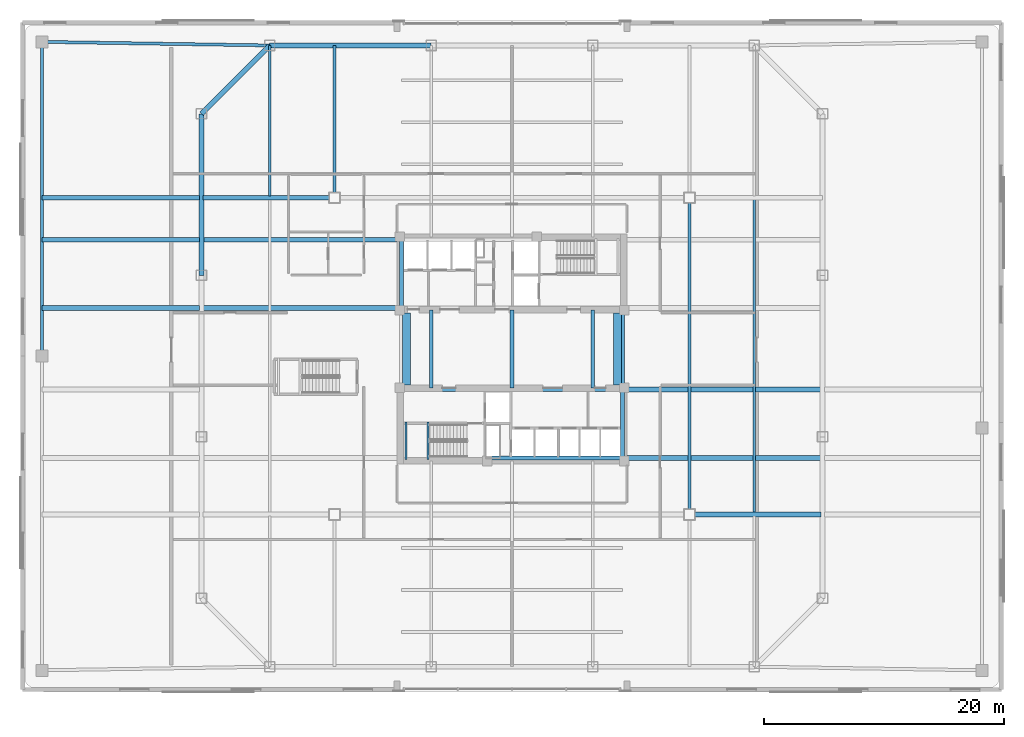
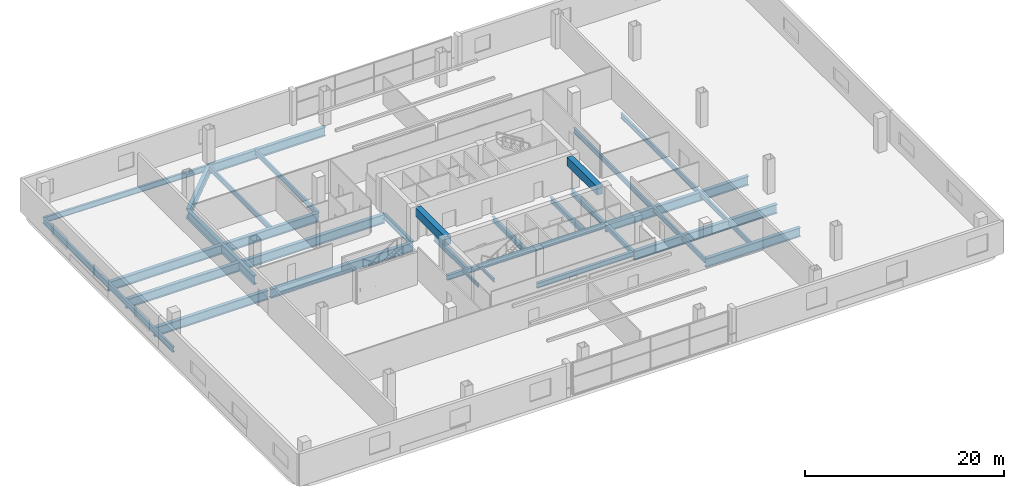
# One storey, part 7 of 21: 30 beams.
"""IFC4 building model written with IfcOpenShell, lengths in metres."""

from ifc_helpers import new_model, si_unit, direction, frame, origin, origin_2d, place, context, subcontext, project, spatial, rectangle, i_section, extrude, material, material_profile, profile_set, type_object, element, save


model = new_model("IFC4")

# Units and contexts
model_context = context("Model", 3, precision=1e-05, world=origin(), true_north=direction((0.0, 1.0)))
body_context = subcontext(model_context, "Body", "Model", "MODEL_VIEW")
ifc_project = project(units=[si_unit("LENGTHUNIT", "METRE"), si_unit("AREAUNIT", "SQUARE_METRE"), si_unit("VOLUMEUNIT", "CUBIC_METRE"), si_unit("PLANEANGLEUNIT", "RADIAN"), si_unit("MASSUNIT", "GRAM", prefix="KILO")], contexts=[model_context])

# Site, building, storey
site_placement = place(None, origin())
site = spatial("IfcSite", under=ifc_project, at=site_placement, CompositionType="ELEMENT")
building_placement = place(site_placement, origin())
building = spatial("IfcBuilding", under=site, at=building_placement, Name="Qhalaya Broadcast Tower", CompositionType="ELEMENT")
storey_placement = place(building_placement, frame((0.0, 0.0, 21.89990234375)))
storey = spatial("IfcBuildingStorey", under=building, at=storey_placement, Name="L05", CompositionType="ELEMENT", Elevation=21.89990234375)

# Beams
ifc_material_1 = material(Name="Structural Steel ASTM A992 Grade 50", Category="steel")
ifc_material_profile_1 = material_profile(ifc_material_1, i_section(OverallWidth=0.22802734375, OverallDepth=0.60693359375, WebThickness=0.01123046875, FlangeThickness=0.017333984375, at=origin_2d()), Name="W24X76")
ifc_profile_set_1 = profile_set([ifc_material_profile_1], Name="Structural Steel ASTM A992 Grade 50")
beam_type_1 = type_object("IfcBeamType", Name="Composite Floor Joist J01", PredefinedType="JOIST", material=ifc_profile_set_1)
beam_1_placement = place(storey_placement, frame((-20.199951171875, 13.340087890625, -0.683349609375), z_axis=(0.0, 1.0, 0.0), x_axis=(-1.0, 0.0, 0.0)))
element("IfcBeam", 1, at=beam_1_placement, inside=storey, type_object=beam_type_1, Name="L05 J01 L05-JS-N-20.2", PredefinedType="JOIST", context=body_context, shape_type="SweptSolid", body=[
    extrude(i_section(OverallWidth=0.22802734375, OverallDepth=0.60693359375, WebThickness=0.01123046875, FlangeThickness=0.017333984375, at=origin_2d()), origin(), (0.0, 0.0, 1.0), 12.559814453125),
])
beam_2_placement = place(storey_placement, frame((-14.800048828125, 13.199951171875, -0.683349609375), z_axis=(0.0, 1.0, 0.0), x_axis=(-1.0, 0.0, 0.0)))
element("IfcBeam", 2, at=beam_2_placement, inside=storey, type_object=beam_type_1, Name="L05 J01 L05-JS-N-14.8", PredefinedType="JOIST", context=body_context, shape_type="SweptSolid", body=[
    extrude(i_section(OverallWidth=0.22802734375, OverallDepth=0.60693359375, WebThickness=0.01123046875, FlangeThickness=0.017333984375, at=origin_2d()), origin(), (0.0, 0.0, 1.0), 12.699951171875),
])
beam_3_placement = place(storey_placement, frame((14.800048828125, -13.199951171875, -0.683349609375), z_axis=(0.0, 1.0, 0.0), x_axis=(-1.0, 0.0, 0.0)))
element("IfcBeam", 3, at=beam_3_placement, inside=storey, type_object=beam_type_1, Name="L05 J01 L05-JS-M+14.8", PredefinedType="JOIST", context=body_context, shape_type="SweptSolid", body=[
    extrude(i_section(OverallWidth=0.22802734375, OverallDepth=0.60693359375, WebThickness=0.01123046875, FlangeThickness=0.017333984375, at=origin_2d()), origin(), (0.0, 0.0, 1.0), 26.39990234375),
])
beam_4_placement = place(storey_placement, frame((20.199951171875, -13.06005859375, -0.683349609375), z_axis=(0.0, 1.0, 0.0), x_axis=(-1.0, 0.0, 0.0)))
element("IfcBeam", 4, at=beam_4_placement, inside=storey, type_object=beam_type_1, Name="L05 J01 L05-JS-M+20.2", PredefinedType="JOIST", context=body_context, shape_type="SweptSolid", body=[
    extrude(i_section(OverallWidth=0.22802734375, OverallDepth=0.60693359375, WebThickness=0.01123046875, FlangeThickness=0.017333984375, at=origin_2d()), origin(), (0.0, 0.0, 1.0), 26.1201171875),
])
ifc_material_profile_2 = material_profile(ifc_material_1, i_section(OverallWidth=0.323974609375, OverallDepth=0.612060546875, WebThickness=0.0126953125, FlangeThickness=0.01904296875, at=origin_2d()), Name="W24X104")
ifc_profile_set_2 = profile_set([ifc_material_profile_2], Name="Structural Steel ASTM A992 Grade 50")
beam_type_2 = type_object("IfcBeamType", Name="Core Frame Tie Beam B04", PredefinedType="BEAM", material=ifc_profile_set_2)
beam_5_placement = place(storey_placement, frame((-9.199951171875, 4.0, -0.685791015625), z_axis=(0.0, 1.0, 0.0), x_axis=(-1.0, 0.0, 0.0)))
element("IfcBeam", 5, at=beam_5_placement, inside=storey, type_object=beam_type_2, Name="L05 B04 L05-CCN2", PredefinedType="BEAM", context=body_context, shape_type="SweptSolid", body=[
    extrude(i_section(OverallWidth=0.323974609375, OverallDepth=0.612060546875, WebThickness=0.0126953125, FlangeThickness=0.01904296875, at=origin_2d()), origin(), (0.0, 0.0, 1.0), 5.699951171875),
])
beam_6_placement = place(storey_placement, frame((-9.199951171875, -2.800048828125, -0.685791015625), z_axis=(1.0, 0.0, 0.0), x_axis=(0.0, 1.0, 0.0)))
element("IfcBeam", 6, at=beam_6_placement, inside=storey, type_object=beam_type_2, Name="L05 B04 L05-CCS1", PredefinedType="BEAM", context=body_context, shape_type="SweptSolid", body=[
    extrude(i_section(OverallWidth=0.323974609375, OverallDepth=0.612060546875, WebThickness=0.0126953125, FlangeThickness=0.01904296875, at=origin_2d()), origin(), (0.0, 0.0, 1.0), 18.39990234375),
])
beam_7_placement = place(storey_placement, frame((9.199951171875, -8.5, -0.685791015625), z_axis=(0.0, 1.0, 0.0), x_axis=(-1.0, 0.0, 0.0)))
element("IfcBeam", 7, at=beam_7_placement, inside=storey, type_object=beam_type_2, Name="L05 B04 L05-CCS2", PredefinedType="BEAM", context=body_context, shape_type="SweptSolid", body=[
    extrude(i_section(OverallWidth=0.323974609375, OverallDepth=0.612060546875, WebThickness=0.0126953125, FlangeThickness=0.01904296875, at=origin_2d()), origin(), (0.0, 0.0, 1.0), 5.699951171875),
])
beam_8_placement = place(storey_placement, frame((-2.050048828125, -8.5, -0.685791015625), z_axis=(1.0, 0.0, 0.0), x_axis=(0.0, 1.0, 0.0)))
element("IfcBeam", 8, at=beam_8_placement, inside=storey, type_object=beam_type_2, Name="L05 B04 L05-CCS3", PredefinedType="BEAM", context=body_context, shape_type="SweptSolid", body=[
    extrude(i_section(OverallWidth=0.323974609375, OverallDepth=0.612060546875, WebThickness=0.0126953125, FlangeThickness=0.01904296875, at=origin_2d()), origin(), (0.0, 0.0, 1.0), 11.25),
])
beam_9_placement = place(storey_placement, frame((9.199951171875, -2.800048828125, -0.685791015625), z_axis=(0.0, 1.0, 0.0), x_axis=(-1.0, 0.0, 0.0)))
element("IfcBeam", 9, at=beam_9_placement, inside=storey, type_object=beam_type_2, Name="L05 B04 L05-CCE", PredefinedType="BEAM", context=body_context, shape_type="SweptSolid", body=[
    extrude(i_section(OverallWidth=0.323974609375, OverallDepth=0.612060546875, WebThickness=0.0126953125, FlangeThickness=0.01904296875, at=origin_2d()), origin(), (0.0, 0.0, 1.0), 6.800048828125),
])
for number, where, z_axis, x_axis, name in (
    (10, (-6.7333984375, -2.64990234375, -0.685791015625), (0.0, 1.0, 0.0), (-1.0, 0.0, 0.0), "L05 B04 L05-JS-CM-6.7"),
    (11, (0.0, -2.64990234375, -0.685791015625), (0.0, 1.0, 0.0), (-1.0, 0.0, 0.0), "L05 B04 L05-JS-CM+0.0"),
    (12, (6.7333984375, -2.64990234375, -0.685791015625), (0.0, 1.0, 0.0), (-1.0, 0.0, 0.0), "L05 B04 L05-JS-CM+6.7"),
):
    element("IfcBeam", number, at=place(storey_placement, frame(where, z_axis=z_axis, x_axis=x_axis)), inside=storey, type_object=beam_type_2, Name=name, PredefinedType="BEAM", context=body_context, shape_type="SweptSolid", body=[
        extrude(i_section(OverallWidth=0.323974609375, OverallDepth=0.612060546875, WebThickness=0.0126953125, FlangeThickness=0.01904296875, at=origin_2d()), origin(), (0.0, 0.0, 1.0), 6.5),
    ])
ifc_material_profile_3 = material_profile(ifc_material_1, i_section(OverallWidth=0.25390625, OverallDepth=0.68310546875, WebThickness=0.012451171875, FlangeThickness=0.01904296875, at=origin_2d()), Name="W27X94")
ifc_profile_set_3 = profile_set([ifc_material_profile_3], Name="Structural Steel ASTM A992 Grade 50")
beam_type_3 = type_object("IfcBeamType", Name="Perimeter Ring Spandrel Beam SP1", PredefinedType="SPANDREL", material=ifc_profile_set_3)
beam_10_placement = place(storey_placement, frame((-39.199951171875, 26.199951171875, -0.721435546875), z_axis=(0.999875328998, -0.015790074776, 0.0), x_axis=(0.015790074776, 0.999875328998, 0.0)))
element("IfcBeam", 13, at=beam_10_placement, inside=storey, type_object=beam_type_3, Name="L05 SP1 L05-SP-N1", PredefinedType="SPANDREL", context=body_context, shape_type="SweptSolid", body=[
    extrude(i_section(OverallWidth=0.25390625, OverallDepth=0.68310546875, WebThickness=0.012451171875, FlangeThickness=0.01904296875, at=origin_2d()), origin(), (0.0, 0.0, 1.0), 19.00244140625),
])
beam_11_placement = place(storey_placement, frame((-39.199951171875, 0.0, -0.721435546875), z_axis=(0.0, 1.0, 0.0), x_axis=(-1.0, 0.0, 0.0)))
element("IfcBeam", 14, at=beam_11_placement, inside=storey, type_object=beam_type_3, Name="L05 SP1 L05-SP-W2", PredefinedType="SPANDREL", context=body_context, shape_type="SweptSolid", body=[
    extrude(i_section(OverallWidth=0.25390625, OverallDepth=0.68310546875, WebThickness=0.012451171875, FlangeThickness=0.01904296875, at=origin_2d()), origin(), (0.0, 0.0, 1.0), 26.199951171875),
])
ifc_material_profile_4 = material_profile(ifc_material_1, i_section(OverallWidth=0.404052734375, OverallDepth=1.117919921875, WebThickness=0.026123046875, FlangeThickness=0.044921875, at=origin_2d()), Name="W44X335")
ifc_profile_set_4 = profile_set([ifc_material_profile_4], Name="Structural Steel ASTM A992 Grade 50")
beam_type_4 = type_object("IfcBeamType", Name="Podium Long-Span Primary Girder PG1", PredefinedType="USERDEFINED", material=ifc_profile_set_4)
beam_12_placement = place(storey_placement, frame((-6.7333984375, 25.89990234375, -0.93896484375), z_axis=(-1.0, 0.0, 0.0), x_axis=(0.0, -1.0, 0.0)))
element("IfcBeam", 15, at=beam_12_placement, inside=storey, type_object=beam_type_4, Name="L05 PG1 L05-PG-R11", ObjectType="GIRDER", PredefinedType="USERDEFINED", context=body_context, shape_type="SweptSolid", body=[
    extrude(i_section(OverallWidth=0.404052734375, OverallDepth=1.117919921875, WebThickness=0.026123046875, FlangeThickness=0.044921875, at=origin_2d()), origin(), (0.0, 0.0, 1.0), 13.466552734375),
])
beam_13_placement = place(storey_placement, frame((-20.199951171875, 25.89990234375, -0.93896484375), z_axis=(-0.707106781187, -0.707106781187, 0.0), x_axis=(0.707106781187, -0.707106781187, 0.0)))
element("IfcBeam", 16, at=beam_13_placement, inside=storey, type_object=beam_type_4, Name="L05 PG1 L05-PG-R12", ObjectType="GIRDER", PredefinedType="USERDEFINED", context=body_context, shape_type="SweptSolid", body=[
    extrude(i_section(OverallWidth=0.404052734375, OverallDepth=1.117919921875, WebThickness=0.026123046875, FlangeThickness=0.044921875, at=origin_2d()), origin(), (0.0, 0.0, 1.0), 8.06103515625),
])
beam_14_placement = place(storey_placement, frame((-25.89990234375, 20.199951171875, -0.93896484375), z_axis=(0.0, -1.0, 0.0), x_axis=(1.0, 0.0, 0.0)))
element("IfcBeam", 17, at=beam_14_placement, inside=storey, type_object=beam_type_4, Name="L05 PG1 L05-PG-R13", ObjectType="GIRDER", PredefinedType="USERDEFINED", context=body_context, shape_type="SweptSolid", body=[
    extrude(i_section(OverallWidth=0.404052734375, OverallDepth=1.117919921875, WebThickness=0.026123046875, FlangeThickness=0.044921875, at=origin_2d()), origin(), (0.0, 0.0, 1.0), 13.466552734375),
])
beam_15_placement = place(storey_placement, frame((14.800048828125, -13.199951171875, -0.93896484375), z_axis=(1.0, 0.0, 0.0), x_axis=(0.0, 1.0, 0.0)))
element("IfcBeam", 18, at=beam_15_placement, inside=storey, type_object=beam_type_4, Name="L05 PG1 L05-PG-GS4", ObjectType="GIRDER", PredefinedType="USERDEFINED", context=body_context, shape_type="SweptSolid", body=[
    extrude(i_section(OverallWidth=0.404052734375, OverallDepth=1.117919921875, WebThickness=0.026123046875, FlangeThickness=0.044921875, at=origin_2d()), origin(), (0.0, 0.0, 1.0), 10.9599609375),
])
beam_16_placement = place(storey_placement, frame((-39.199951171875, 13.199951171875, -0.93896484375), z_axis=(1.0, 0.0, 0.0), x_axis=(0.0, 1.0, 0.0)))
element("IfcBeam", 19, at=beam_16_placement, inside=storey, type_object=beam_type_4, Name="L05 PG1 L05-PG-GN1", ObjectType="GIRDER", PredefinedType="USERDEFINED", context=body_context, shape_type="SweptSolid", body=[
    extrude(i_section(OverallWidth=0.404052734375, OverallDepth=1.117919921875, WebThickness=0.026123046875, FlangeThickness=0.044921875, at=origin_2d()), origin(), (0.0, 0.0, 1.0), 13.159912109375),
])
beam_17_placement = place(storey_placement, frame((-25.760009765625, 13.199951171875, -0.93896484375), z_axis=(1.0, 0.0, 0.0), x_axis=(0.0, 1.0, 0.0)))
element("IfcBeam", 20, at=beam_17_placement, inside=storey, type_object=beam_type_4, Name="L05 PG1 L05-PG-GN2", ObjectType="GIRDER", PredefinedType="USERDEFINED", context=body_context, shape_type="SweptSolid", body=[
    extrude(i_section(OverallWidth=0.404052734375, OverallDepth=1.117919921875, WebThickness=0.026123046875, FlangeThickness=0.044921875, at=origin_2d()), origin(), (0.0, 0.0, 1.0), 10.9599609375),
])
for number, where, z_axis, x_axis, name in (
    (21, (9.199951171875, -8.5, -0.93896484375), (1.0, 0.0, 0.0), (0.0, 1.0, 0.0), "L05 PG1 L05-PG-E1A"),
    (22, (9.199951171875, -2.800048828125, -0.93896484375), (1.0, 0.0, 0.0), (0.0, 1.0, 0.0), "L05 PG1 L05-PG-E2A"),
):
    element("IfcBeam", number, at=place(storey_placement, frame(where, z_axis=z_axis, x_axis=x_axis)), inside=storey, type_object=beam_type_4, Name=name, ObjectType="GIRDER", PredefinedType="USERDEFINED", context=body_context, shape_type="SweptSolid", body=[
        extrude(i_section(OverallWidth=0.404052734375, OverallDepth=1.117919921875, WebThickness=0.026123046875, FlangeThickness=0.044921875, at=origin_2d()), origin(), (0.0, 0.0, 1.0), 16.56005859375),
    ])
beam_18_placement = place(storey_placement, frame((-39.199951171875, 4.0, -0.93896484375), z_axis=(1.0, 0.0, 0.0), x_axis=(0.0, 1.0, 0.0)))
element("IfcBeam", 23, at=beam_18_placement, inside=storey, type_object=beam_type_4, Name="L05 PG1 L05-PG-W3A", ObjectType="GIRDER", PredefinedType="USERDEFINED", context=body_context, shape_type="SweptSolid", body=[
    extrude(i_section(OverallWidth=0.404052734375, OverallDepth=1.117919921875, WebThickness=0.026123046875, FlangeThickness=0.044921875, at=origin_2d()), origin(), (0.0, 0.0, 1.0), 13.159912109375),
])
beam_19_placement = place(storey_placement, frame((-25.760009765625, 4.0, -0.93896484375), z_axis=(1.0, 0.0, 0.0), x_axis=(0.0, 1.0, 0.0)))
element("IfcBeam", 24, at=beam_19_placement, inside=storey, type_object=beam_type_4, Name="L05 PG1 L05-PG-W3B", ObjectType="GIRDER", PredefinedType="USERDEFINED", context=body_context, shape_type="SweptSolid", body=[
    extrude(i_section(OverallWidth=0.404052734375, OverallDepth=1.117919921875, WebThickness=0.026123046875, FlangeThickness=0.044921875, at=origin_2d()), origin(), (0.0, 0.0, 1.0), 16.56005859375),
])
beam_20_placement = place(storey_placement, frame((-39.199951171875, 9.699951171875, -0.93896484375), z_axis=(1.0, 0.0, 0.0), x_axis=(0.0, 1.0, 0.0)))
element("IfcBeam", 25, at=beam_20_placement, inside=storey, type_object=beam_type_4, Name="L05 PG1 L05-PG-W4A", ObjectType="GIRDER", PredefinedType="USERDEFINED", context=body_context, shape_type="SweptSolid", body=[
    extrude(i_section(OverallWidth=0.404052734375, OverallDepth=1.117919921875, WebThickness=0.026123046875, FlangeThickness=0.044921875, at=origin_2d()), origin(), (0.0, 0.0, 1.0), 13.159912109375),
])
beam_21_placement = place(storey_placement, frame((-25.760009765625, 9.699951171875, -0.93896484375), z_axis=(1.0, 0.0, 0.0), x_axis=(0.0, 1.0, 0.0)))
element("IfcBeam", 26, at=beam_21_placement, inside=storey, type_object=beam_type_4, Name="L05 PG1 L05-PG-W4B", ObjectType="GIRDER", PredefinedType="USERDEFINED", context=body_context, shape_type="SweptSolid", body=[
    extrude(i_section(OverallWidth=0.404052734375, OverallDepth=1.117919921875, WebThickness=0.026123046875, FlangeThickness=0.044921875, at=origin_2d()), origin(), (0.0, 0.0, 1.0), 16.56005859375),
])
ifc_material_2 = material(Name="Concrete C60/75", Category="concrete")
ifc_material_profile_5 = material_profile(ifc_material_2, rectangle(XDim=0.64990234375, YDim=1.050048828125, at=origin_2d()), Name="RC-CB 650x1050")
ifc_profile_set_5 = profile_set([ifc_material_profile_5], Name="Concrete C60/75")
beam_type_5 = type_object("IfcBeamType", Name="Split-Core RC Coupling Lintel CB1", PredefinedType="LINTEL", material=ifc_profile_set_5)
for number, where, z_axis, x_axis, name in (
    (27, (-8.800048828125, -2.39990234375, 3.455078125), (0.0, 1.0, 0.0), (-1.0, 0.0, 0.0), "L05 Core Coupling Lintel Beam W"),
    (28, (8.800048828125, -2.39990234375, 3.455078125), (0.0, 1.0, 0.0), (-1.0, 0.0, 0.0), "L05 Core Coupling Lintel Beam E"),
):
    element("IfcBeam", number, at=place(storey_placement, frame(where, z_axis=z_axis, x_axis=x_axis)), inside=storey, type_object=beam_type_5, Name=name, PredefinedType="LINTEL", context=body_context, shape_type="SweptSolid", body=[
        extrude(rectangle(XDim=0.64990234375, YDim=1.050048828125, at=origin_2d()), origin(), (0.0, 0.0, 1.0), 6.0),
    ])
ifc_material_profile_6 = material_profile(ifc_material_1, i_section(OverallWidth=0.177978515625, OverallDepth=0.406005859375, WebThickness=0.0078125, FlangeThickness=0.0126953125, at=origin_2d()), Name="W16X40")
ifc_profile_set_6 = profile_set([ifc_material_profile_6], Name="Structural Steel ASTM A992 Grade 50")
beam_type_6 = type_object("IfcBeamType", Name="Upper Perimeter Spandrel Beam SP2", PredefinedType="SPANDREL", material=ifc_profile_set_6)
for number, where, z_axis, x_axis, name in (
    (29, (-8.830078125, -8.6201171875, 1.697021484375), (0.0, 1.0, 0.0), (-1.0, 0.0, 0.0), "L05 ST-2 Half-Landing Bearer Beam 1"),
    (30, (-7.014892578125, -8.6201171875, 1.697021484375), (0.0, 1.0, 0.0), (-1.0, 0.0, 0.0), "L05 ST-2 Half-Landing Bearer Beam 2"),
):
    element("IfcBeam", number, at=place(storey_placement, frame(where, z_axis=z_axis, x_axis=x_axis)), inside=storey, type_object=beam_type_6, Name=name, PredefinedType="SPANDREL", context=body_context, shape_type="SweptSolid", body=[
        extrude(i_section(OverallWidth=0.177978515625, OverallDepth=0.406005859375, WebThickness=0.0078125, FlangeThickness=0.0126953125, at=origin_2d()), origin(), (0.0, 0.0, 1.0), 3.1201171875),
    ])

save(model, "model.ifc")
